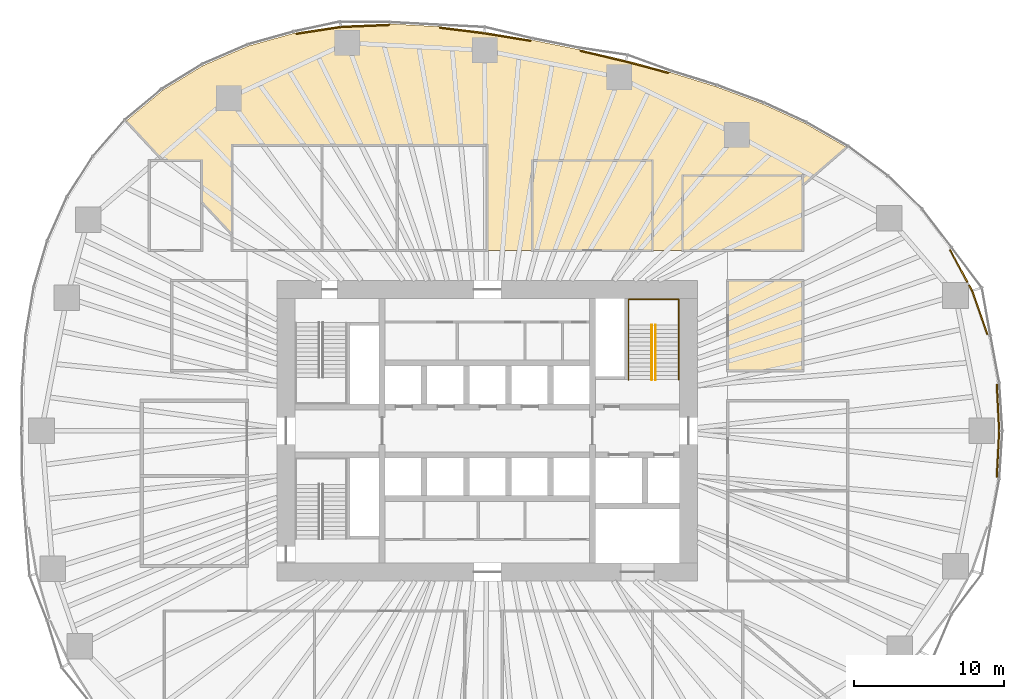
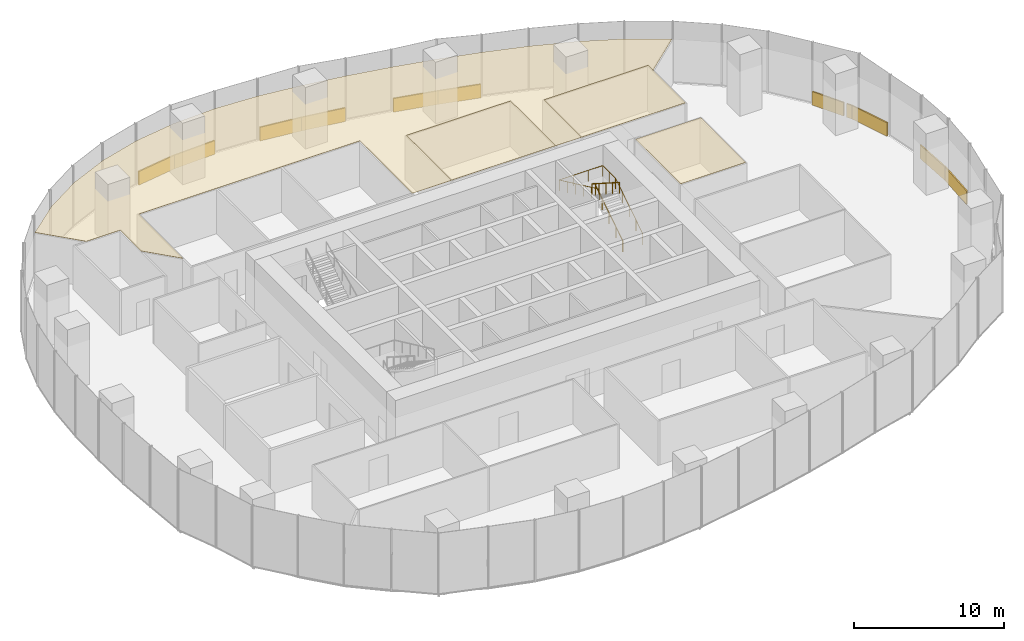
# One storey, part 20 of 20: 15 coverings, 3 railings.
"""IFC4 building model written with IfcOpenShell, lengths in metres."""

from ifc_helpers import new_model, si_unit, direction, frame, origin, origin_2d, place, context, subcontext, project, spatial, polyline, rectangle, circle, outline, extrude, material, layer, layer_set, type_object, element, save


model = new_model("IFC4")

# Units and contexts
model_context = context("Model", 3, precision=1e-05, world=origin(), true_north=direction((0.0, 1.0)))
body_context = subcontext(model_context, "Body", "Model", "MODEL_VIEW")
ifc_project = project(units=[si_unit("LENGTHUNIT", "METRE"), si_unit("AREAUNIT", "SQUARE_METRE"), si_unit("VOLUMEUNIT", "CUBIC_METRE"), si_unit("PLANEANGLEUNIT", "RADIAN"), si_unit("MASSUNIT", "GRAM", prefix="KILO")], contexts=[model_context])

# Site, building, storey
site_placement = place(None, origin())
site = spatial("IfcSite", under=ifc_project, at=site_placement, CompositionType="ELEMENT")
building_placement = place(site_placement, origin())
building = spatial("IfcBuilding", under=site, at=building_placement, Name="Ghaith Harvest Tower", CompositionType="ELEMENT")
storey_placement = place(building_placement, frame((0.0, 0.0, 85.0)))
storey = spatial("IfcBuildingStorey", under=building, at=storey_placement, Name="L17", CompositionType="ELEMENT", Elevation=85.0)

# Coverings
ifc_material_1 = material(Name="Mineral fibre ceiling tile", Category="gypsum")
ifc_layer_1 = layer(ifc_material_1, 0.02490234375)
ifc_layer_set_1 = layer_set([ifc_layer_1], Name="CEILING C2")
covering_type_1 = type_object("IfcCoveringType", Name="CEILING C2", PredefinedType="CEILING", material=ifc_layer_set_1)
covering_1_placement = place(storey_placement, frame((0.0, 0.0, 3.60009765625)))
element("IfcCovering", 1, at=covering_1_placement, inside=storey, type_object=covering_type_1, Name="Ceiling L17-10", PredefinedType="CEILING", context=body_context, shape_type="SweptSolid", body=[
    extrude(outline(polyline([(3.0, 12.0), (11.0, 12.0), (11.0, 18.0), (3.0, 18.0), (3.0, 12.0)])), origin(), (0.0, 0.0, 1.0), 0.02490234375),
])
covering_2_placement = place(storey_placement, frame((0.0, 0.0, 3.60009765625)))
element("IfcCovering", 2, at=covering_2_placement, inside=storey, type_object=covering_type_1, Name="Ceiling L17-13", PredefinedType="CEILING", context=body_context, shape_type="SweptSolid", body=[
    extrude(outline(polyline([(13.0, 12.0), (21.0, 12.0), (21.0, 17.0), (13.0, 17.0), (13.0, 12.0)])), origin(), (0.0, 0.0, 1.0), 0.02490234375),
])
covering_3_placement = place(storey_placement, frame((0.0, 0.0, 3.60009765625)))
element("IfcCovering", 3, at=covering_3_placement, inside=storey, type_object=covering_type_1, Name="Ceiling L17-15", PredefinedType="CEILING", context=body_context, shape_type="SweptSolid", body=[
    extrude(outline(polyline([(16.0, 4.0), (21.0, 4.0), (21.0, 10.0), (16.0, 10.0), (16.0, 4.0)])), origin(), (0.0, 0.0, 1.0), 0.02490234375),
])
covering_4_placement = place(storey_placement, frame((0.0, 0.0, 3.60009765625)))
element("IfcCovering", 4, at=covering_4_placement, inside=storey, type_object=covering_type_1, Name="Ceiling L17-N1", PredefinedType="CEILING", context=body_context, shape_type="SweptSolid", body=[
    extrude(outline(polyline([(-21.59912109375, 22.671142578125), (-18.8935546875, 24.32763671875), (-15.907958984375, 25.614501953125), (-12.828125, 26.476806640625), (-9.733642578125, 26.949951171875), (-6.4375, 27.0849609375), (-3.24755859375, 26.91064453125), (-0.181396484375, 26.527099609375), (2.99560546875, 26.004150390625), (6.10888671875, 25.378662109375), (9.21533203125, 24.65087890625), (12.1796875, 23.857666015625), (15.22119140625, 22.916259765625), (18.34521484375, 21.7548828125), (21.149169921875, 20.469482421875), (23.92431640625, 18.873046875), (21.0, 16.336669921875), (21.0, 17.0), (13.0, 17.0), (13.0, 12.0), (11.0, 12.0), (11.0, 18.0), (3.0, 18.0), (3.0, 12.0), (0.0, 12.0), (0.0, 19.0), (-17.0, 19.0), (-17.0, 13.07080078125), (-19.0, 15.21240234375), (-19.0, 18.0), (-21.60302734375, 18.0), (-24.04833984375, 20.618408203125), (-21.59912109375, 22.671142578125)])), origin(), (0.0, 0.0, 1.0), 0.02490234375),
])

# Railings
ifc_material_2 = material(Name="Steel, black powder-coated", Category="steel")
railing_type = type_object("IfcRailingType", Name="HANDRAIL HR1", PredefinedType="HANDRAIL", material=ifc_material_2)
railing_1_placement = place(storey_placement, frame((11.199951171875, 3.39990234375, 0.178466796875)))
element("IfcRailing", 5, at=railing_1_placement, inside=storey, type_object=railing_type, Name="Handrail HR1 stair ST2 L17 flight 1 inner", PredefinedType="HANDRAIL", context=body_context, shape_type="SweptSolid", body=[
    extrude(circle(Radius=0.02392578125, at=origin_2d()), frame((0.0, 0.0, 0.8759765625), z_axis=(0.0, 0.843127859045, 0.537713132908), x_axis=(-1.0, 0.0, 0.0)), (0.0, 0.0, 1.0), 4.3173828125),
    extrude(circle(Radius=0.02099609375, at=origin_2d()), origin(), (0.0, 0.0, 1.0), 0.851806640625),
    extrude(circle(Radius=0.02099609375, at=origin_2d()), frame((0.0, 0.91015625, 0.580322265625)), (0.0, 0.0, 1.0), 0.851806640625),
    extrude(circle(Radius=0.02099609375, at=origin_2d()), frame((0.0, 1.820068359375, 1.16064453125)), (0.0, 0.0, 1.0), 0.851806640625),
    extrude(circle(Radius=0.02099609375, at=origin_2d()), frame((0.0, 2.72998046875, 1.7412109375)), (0.0, 0.0, 1.0), 0.851806640625),
    extrude(circle(Radius=0.02099609375, at=origin_2d()), frame((0.0, 3.64013671875, 2.321533203125)), (0.0, 0.0, 1.0), 0.851806640625),
])
railing_2_placement = place(storey_placement, frame((10.949951171875, 7.0400390625, 2.678466796875)))
element("IfcRailing", 6, at=railing_2_placement, inside=storey, type_object=railing_type, Name="Handrail HR1 stair ST2 L17 flight 2 inner", PredefinedType="HANDRAIL", context=body_context, shape_type="SweptSolid", body=[
    extrude(circle(Radius=0.02392578125, at=origin_2d()), frame((0.0, 0.0, 0.8759765625), z_axis=(0.0, -0.843127859045, 0.537713132908), x_axis=(1.0, 0.0, 0.0)), (0.0, 0.0, 1.0), 4.3173828125),
    extrude(circle(Radius=0.02099609375, at=origin_2d()), origin(), (0.0, 0.0, 1.0), 0.851806640625),
    extrude(circle(Radius=0.02099609375, at=origin_2d()), frame((0.0, -0.91015625, 0.580322265625)), (0.0, 0.0, 1.0), 0.851806640625),
    extrude(circle(Radius=0.02099609375, at=origin_2d()), frame((0.0, -1.820068359375, 1.16064453125)), (0.0, 0.0, 1.0), 0.851806640625),
    extrude(circle(Radius=0.02099609375, at=origin_2d()), frame((0.0, -2.72998046875, 1.7412109375)), (0.0, 0.0, 1.0), 0.851806640625),
    extrude(circle(Radius=0.02099609375, at=origin_2d()), frame((0.0, -3.64013671875, 2.321533203125)), (0.0, 0.0, 1.0), 0.851806640625),
])
railing_3_placement = place(storey_placement, frame((12.75, 3.39990234375, 0.178466796875)))
element("IfcRailing", 7, at=railing_3_placement, inside=storey, type_object=railing_type, Name="Handrail HR1 stair ST2 L17 wall side", PredefinedType="HANDRAIL", context=body_context, shape_type="SweptSolid", body=[
    extrude(circle(Radius=0.02392578125, at=origin_2d()), frame((0.0, 0.0, 0.8759765625), z_axis=(0.0, 0.843127859045, 0.537713132908), x_axis=(-1.0, 0.0, 0.0)), (0.0, 0.0, 1.0), 4.3173828125),
    extrude(circle(Radius=0.02392578125, at=origin_2d()), frame((0.0, 3.64013671875, 3.197265625), z_axis=(0.0, 1.0, 0.0), x_axis=(-1.0, 0.0, 0.0)), (0.0, 0.0, 1.0), 1.7099609375),
    extrude(circle(Radius=0.02392578125, at=origin_2d()), frame((0.0, 5.35009765625, 3.197265625), z_axis=(-1.0, 0.0, 0.0), x_axis=(0.0, -1.0, 0.0)), (0.0, 0.0, 1.0), 3.35009765625),
    extrude(circle(Radius=0.02392578125, at=origin_2d()), frame((-3.35009765625, 5.35009765625, 3.197265625), z_axis=(0.0, -0.905969675553, 0.423342588193), x_axis=(1.0, 0.0, 0.0)), (0.0, 0.0, 1.0), 5.9052734375),
    extrude(circle(Radius=0.02099609375, at=origin_2d()), origin(), (0.0, 0.0, 1.0), 0.851806640625),
    extrude(circle(Radius=0.02099609375, at=origin_2d()), frame((0.0, 0.91015625, 0.580322265625)), (0.0, 0.0, 1.0), 0.851806640625),
    extrude(circle(Radius=0.02099609375, at=origin_2d()), frame((0.0, 1.820068359375, 1.16064453125)), (0.0, 0.0, 1.0), 0.851806640625),
    extrude(circle(Radius=0.02099609375, at=origin_2d()), frame((0.0, 2.72998046875, 1.7412109375)), (0.0, 0.0, 1.0), 0.851806640625),
    extrude(circle(Radius=0.02099609375, at=origin_2d()), frame((0.0, 3.64013671875, 2.321533203125)), (0.0, 0.0, 1.0), 0.851806640625),
    extrude(circle(Radius=0.02099609375, at=origin_2d()), frame((0.0, 4.4951171875, 2.321533203125)), (0.0, 0.0, 1.0), 0.851806640625),
    extrude(circle(Radius=0.02099609375, at=origin_2d()), frame((0.0, 5.35009765625, 2.321533203125)), (0.0, 0.0, 1.0), 0.851806640625),
    extrude(circle(Radius=0.02099609375, at=origin_2d()), frame((-1.11669921875, 5.35009765625, 2.321533203125)), (0.0, 0.0, 1.0), 0.851806640625),
    extrude(circle(Radius=0.02099609375, at=origin_2d()), frame((-2.2333984375, 5.35009765625, 2.321533203125)), (0.0, 0.0, 1.0), 0.851806640625),
    extrude(circle(Radius=0.02099609375, at=origin_2d()), frame((-3.35009765625, 5.35009765625, 2.321533203125)), (0.0, 0.0, 1.0), 0.851806640625),
    extrude(circle(Radius=0.02099609375, at=origin_2d()), frame((-3.35009765625, 4.280029296875, 2.821533203125)), (0.0, 0.0, 1.0), 0.851806640625),
    extrude(circle(Radius=0.02099609375, at=origin_2d()), frame((-3.35009765625, 3.2099609375, 3.321533203125)), (0.0, 0.0, 1.0), 0.851806640625),
    extrude(circle(Radius=0.02099609375, at=origin_2d()), frame((-3.35009765625, 2.14013671875, 3.821533203125)), (0.0, 0.0, 1.0), 0.851806640625),
    extrude(circle(Radius=0.02099609375, at=origin_2d()), frame((-3.35009765625, 1.070068359375, 4.321533203125)), (0.0, 0.0, 1.0), 0.851806640625),
    extrude(circle(Radius=0.02099609375, at=origin_2d()), frame((-3.35009765625, 0.0, 4.821533203125)), (0.0, 0.0, 1.0), 0.851806640625),
])

# Coverings
ifc_material_3 = material(Name="Insulated aluminium spandrel panel on steel framing", Category="steel")
ifc_layer_2 = layer(ifc_material_3, 0.10009765625)
ifc_layer_set_2 = layer_set([ifc_layer_2], Name="SLAB EDGE UPSTAND 1100x100")
covering_type_2 = type_object("IfcCoveringType", Name="SLAB EDGE UPSTAND 1100x100", PredefinedType="CLADDING", material=ifc_layer_set_2)
covering_5_placement = place(storey_placement, frame((33.994384765625, 1.54443359375, 0.0), z_axis=(0.0, 0.0, 1.0), x_axis=(-0.052048501689, 0.998644558125, 0.0)))
element("IfcCovering", 8, at=covering_5_placement, inside=storey, type_object=covering_type_2, Name="Slab edge upstand 1 bay 01 L17", PredefinedType="CLADDING", context=body_context, shape_type="SweptSolid", body=[
    extrude(rectangle(XDim=3.098388671875, YDim=0.10009765625, at=origin_2d()), origin(), (0.0, 0.0, 1.0), 1.10009765625),
])
covering_6_placement = place(storey_placement, frame((32.78125, 7.867919921875, 0.0), z_axis=(0.0, 0.0, 1.0), x_axis=(-0.330597697022, 0.943771774702, 0.0)))
element("IfcCovering", 9, at=covering_6_placement, inside=storey, type_object=covering_type_2, Name="Slab edge upstand 3 bay 01 L17", PredefinedType="CLADDING", context=body_context, shape_type="SweptSolid", body=[
    extrude(rectangle(XDim=3.0859375, YDim=0.10009765625, at=origin_2d()), origin(), (0.0, 0.0, 1.0), 1.10009765625),
])
covering_7_placement = place(storey_placement, frame((32.172119140625, 9.505615234375, 0.0), z_axis=(0.0, 0.0, 1.0), x_axis=(-0.476349292539, 0.87925613532, 0.0)))
element("IfcCovering", 10, at=covering_7_placement, inside=storey, type_object=covering_type_2, Name="Slab edge upstand 1 bay 02 L17", PredefinedType="CLADDING", context=body_context, shape_type="SweptSolid", body=[
    extrude(rectangle(XDim=0.42919921875, YDim=0.10009765625, at=origin_2d()), origin(), (0.0, 0.0, 1.0), 1.10009765625),
])
covering_8_placement = place(storey_placement, frame((31.3759765625, 10.9755859375, 0.0), z_axis=(0.0, 0.0, 1.0), x_axis=(-0.476349292539, 0.87925613532, 0.0)))
element("IfcCovering", 11, at=covering_8_placement, inside=storey, type_object=covering_type_2, Name="Slab edge upstand 1 bay 02 L17", PredefinedType="CLADDING", context=body_context, shape_type="SweptSolid", body=[
    extrude(rectangle(XDim=2.46484375, YDim=0.10009765625, at=origin_2d()), origin(), (0.0, 0.0, 1.0), 1.10009765625),
])
covering_9_placement = place(storey_placement, frame((10.63623046875, 24.218994140625, 0.0), z_axis=(0.0, 0.0, 1.0), x_axis=(-0.9660243418, 0.258451099919, 0.0)))
element("IfcCovering", 12, at=covering_9_placement, inside=storey, type_object=covering_type_2, Name="Slab edge upstand 3 bay 04 L17", PredefinedType="CLADDING", context=body_context, shape_type="SweptSolid", body=[
    extrude(rectangle(XDim=2.968505859375, YDim=0.10009765625, at=origin_2d()), origin(), (0.0, 0.0, 1.0), 1.10009765625),
])
covering_10_placement = place(storey_placement, frame((7.699462890625, 24.95458984375, 0.0), z_axis=(0.0, 0.0, 1.0), x_axis=(-0.973634089594, 0.228115452305, 0.0)))
element("IfcCovering", 13, at=covering_10_placement, inside=storey, type_object=covering_type_2, Name="Slab edge upstand 1 bay 05 L17", PredefinedType="CLADDING", context=body_context, shape_type="SweptSolid", body=[
    extrude(rectangle(XDim=3.090576171875, YDim=0.10009765625, at=origin_2d()), origin(), (0.0, 0.0, 1.0), 1.10009765625),
])
covering_11_placement = place(storey_placement, frame((1.349609375, 26.224365234375, 0.0), z_axis=(0.0, 0.0, 1.0), x_axis=(-0.986716247541, 0.162453214305, 0.0)))
element("IfcCovering", 14, at=covering_11_placement, inside=storey, type_object=covering_type_2, Name="Slab edge upstand 3 bay 05 L17", PredefinedType="CLADDING", context=body_context, shape_type="SweptSolid", body=[
    extrude(rectangle(XDim=3.119873046875, YDim=0.10009765625, at=origin_2d()), origin(), (0.0, 0.0, 1.0), 1.10009765625),
])
covering_12_placement = place(storey_placement, frame((-1.671142578125, 26.6630859375, 0.0), z_axis=(0.0, 0.0, 1.0), x_axis=(-0.99226486887, 0.124138753038, 0.0)))
element("IfcCovering", 15, at=covering_12_placement, inside=storey, type_object=covering_type_2, Name="Slab edge upstand 1 bay 06 L17", PredefinedType="CLADDING", context=body_context, shape_type="SweptSolid", body=[
    extrude(rectangle(XDim=2.98974609375, YDim=0.10009765625, at=origin_2d()), origin(), (0.0, 0.0, 1.0), 1.10009765625),
])
covering_13_placement = place(storey_placement, frame((-8.133544921875, 26.965576171875, 0.0), z_axis=(0.0, 0.0, 1.0), x_axis=(-0.999160890982, -0.040957464901, 0.0)))
element("IfcCovering", 16, at=covering_13_placement, inside=storey, type_object=covering_type_2, Name="Slab edge upstand 3 bay 06 L17", PredefinedType="CLADDING", context=body_context, shape_type="SweptSolid", body=[
    extrude(rectangle(XDim=3.198974609375, YDim=0.10009765625, at=origin_2d()), origin(), (0.0, 0.0, 1.0), 1.10009765625),
])
covering_14_placement = place(storey_placement, frame((-11.22412109375, 26.67138671875, 0.0), z_axis=(0.0, 0.0, 1.0), x_axis=(-0.988517924816, -0.1511036476, 0.0)))
element("IfcCovering", 17, at=covering_14_placement, inside=storey, type_object=covering_type_2, Name="Slab edge upstand 1 bay 07 L17", PredefinedType="CLADDING", context=body_context, shape_type="SweptSolid", body=[
    extrude(rectangle(XDim=3.030517578125, YDim=0.10009765625, at=origin_2d()), origin(), (0.0, 0.0, 1.0), 1.10009765625),
])
covering_15_placement = place(storey_placement, frame((33.994384765625, -1.54443359375, 0.0), z_axis=(0.0, 0.0, 1.0), x_axis=(0.052048501794, 0.998644558119, 0.0)))
element("IfcCovering", 18, at=covering_15_placement, inside=storey, type_object=covering_type_2, Name="Slab edge upstand 3 bay 20 L17", PredefinedType="CLADDING", context=body_context, shape_type="SweptSolid", body=[
    extrude(rectangle(XDim=3.098388671875, YDim=0.10009765625, at=origin_2d()), origin(), (0.0, 0.0, 1.0), 1.10009765625),
])

save(model, "model.ifc")
